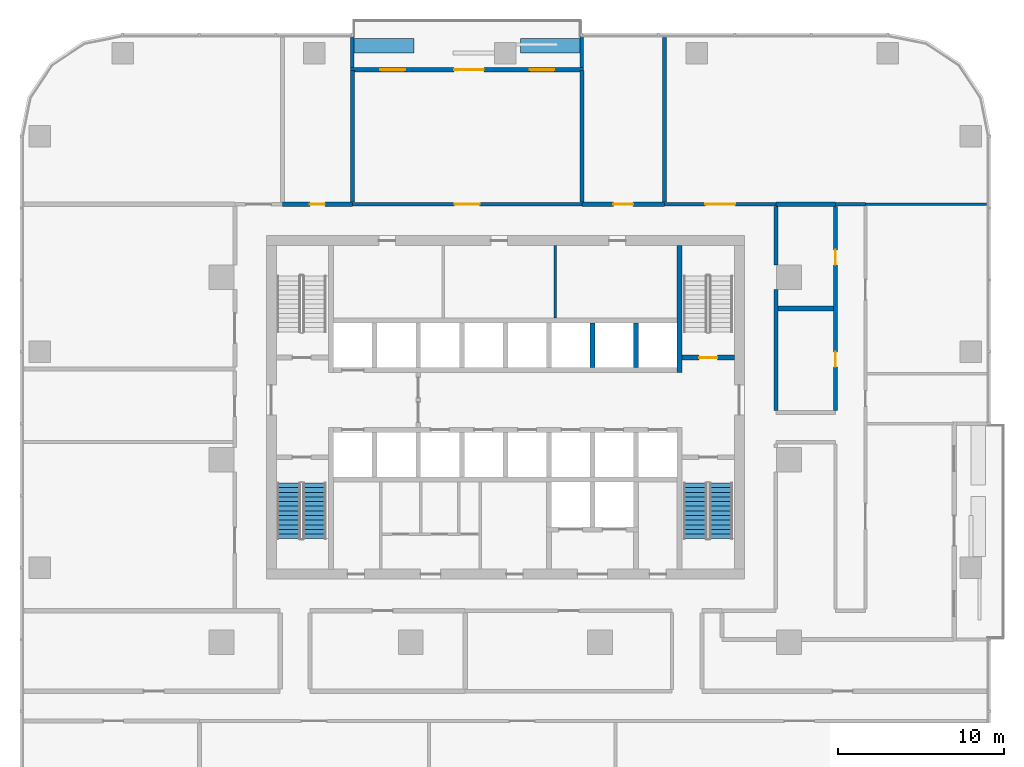
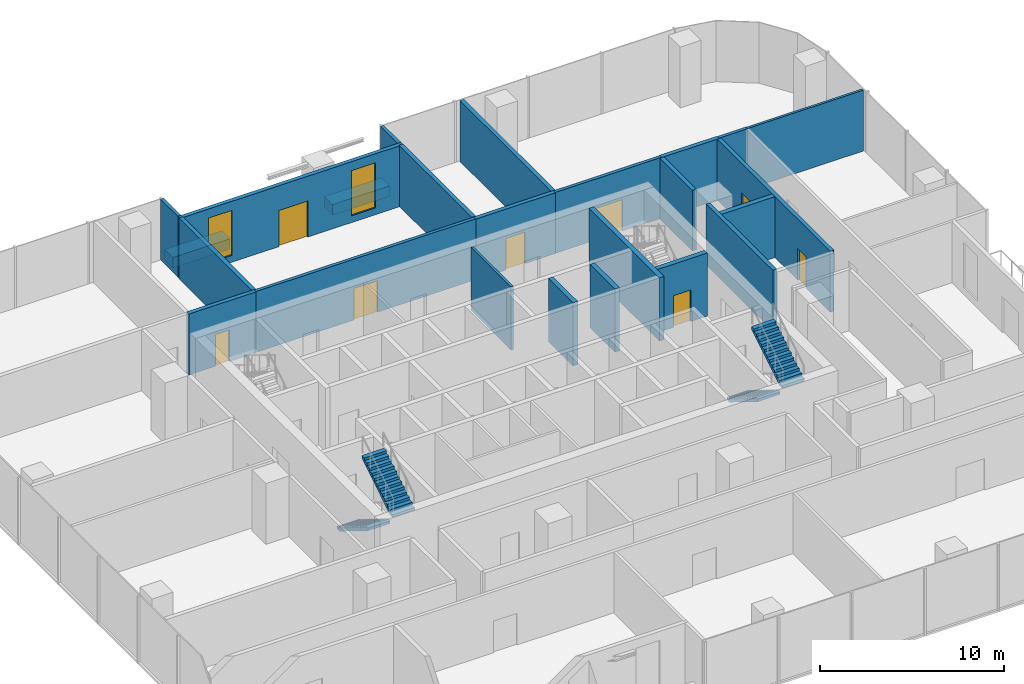
# One storey, part 10 of 14: 24 walls, 8 doors, 4 stair flights, 2 windows, 10 openings, 2 elements without a shape of their own.
"""IFC4 building model written with IfcOpenShell, lengths in metres."""

from ifc_helpers import new_model, si_unit, direction, frame, frame_2d, origin, place, context, subcontext, project, spatial, polyline, rectangle, outline, extrude, material, layer, layer_set, type_object, element, fill, aggregate, save


model = new_model("IFC4")

# Units and contexts
model_context = context("Model", 3, precision=1e-05, world=origin(), true_north=direction((0.0, 1.0)))
body_context = subcontext(model_context, "Body", "Model", "MODEL_VIEW")
ifc_project = project(units=[si_unit("LENGTHUNIT", "METRE"), si_unit("AREAUNIT", "SQUARE_METRE"), si_unit("VOLUMEUNIT", "CUBIC_METRE"), si_unit("PLANEANGLEUNIT", "RADIAN"), si_unit("MASSUNIT", "GRAM", prefix="KILO")], contexts=[model_context])

# Site, building, storey
site_placement = place(None, origin())
site = spatial("IfcSite", under=ifc_project, at=site_placement, CompositionType="ELEMENT")
building_placement = place(site_placement, origin())
building = spatial("IfcBuilding", under=site, at=building_placement, Name="Mopane Tessera Tower", CompositionType="ELEMENT")
storey_placement = place(building_placement, frame((0.0, 0.0, 139.60009765625)))
storey = spatial("IfcBuildingStorey", under=building, at=storey_placement, Name="L28", CompositionType="ELEMENT", Elevation=139.60009765625)

# Walls
ifc_material_1 = material(Name="Fire-rated gypsum board partition")
ifc_layer_1 = layer(ifc_material_1, 0.14990234375)
ifc_layer_set_1 = layer_set([ifc_layer_1], Name="Fire-rated gypsum board partition")
wall_type_1 = type_object("IfcWallType", Name="Core room partition 150 mm", PredefinedType="PARTITIONING", material=ifc_layer_set_1)
wall_1_placement = place(storey_placement, frame((3.0, 8.550048828125, 0.0), z_axis=(0.0, 0.0, 1.0), x_axis=(0.0, 1.0, 0.0)))
element("IfcWall", 1, at=wall_1_placement, inside=storey, type_object=wall_type_1, Name="L28 Room partition", PredefinedType="PARTITIONING", context=body_context, shape_type="SweptSolid", body=[
    extrude(rectangle(XDim=4.349853515625, YDim=0.14990234375, at=frame_2d((2.1748046875, 0.0))), origin(), (0.0, 0.0, 1.0), 4.199951171875),
])
ifc_material_2 = material(Name="Concrete C60/75", Category="concrete")
ifc_layer_2 = layer(ifc_material_2, 0.300048828125)
ifc_layer_set_2 = layer_set([ifc_layer_2], Name="Concrete C60/75")
wall_type_2 = type_object("IfcWallType", Name="Core spine wall 300 mm", PredefinedType="SHEAR", material=ifc_layer_set_2)
wall_2_placement = place(storey_placement, frame((10.5, 5.25, 0.0), z_axis=(0.0, 0.0, 1.0), x_axis=(0.0, 1.0, 0.0)))
element("IfcWall", 2, at=wall_2_placement, inside=storey, type_object=wall_type_2, Name="L28 Core spine wall", PredefinedType="SHEAR", context=body_context, shape_type="SweptSolid", body=[
    extrude(rectangle(XDim=7.64990234375, YDim=0.300048828125, at=frame_2d((3.824951171875, 0.0))), origin(), (0.0, 0.0, 1.0), 4.199951171875),
])

# Wall, opening, door
ifc_material_3 = material(Name="Gypsum board on steel studs, two layers each face, mineral wool infill", Category="steel")
ifc_layer_3 = layer(ifc_material_3, 0.199951171875)
ifc_layer_set_3 = layer_set([ifc_layer_3], Name="Gypsum board on steel studs, two layers each face, mineral wool infill")
wall_type_3 = type_object("IfcWallType", Name="Gypsum board corridor wall 200, rated EI 60", PredefinedType="PARTITIONING", material=ifc_layer_set_3)
wall_3_placement = place(storey_placement, frame((-9.219970703125, 15.39990234375, 0.0), z_axis=(0.0, 0.0, 1.0), x_axis=(1.0, 0.0, 0.0)))
wall_3 = element("IfcWall", 3, at=wall_3_placement, inside=storey, type_object=wall_type_3, Name="Partition L28:023", PredefinedType="PARTITIONING", context=body_context, shape_type="SweptSolid", body=[
    extrude(rectangle(XDim=13.830078125, YDim=0.199951171875, at=frame_2d((6.9150390625, 0.0))), origin(), (0.0, 0.0, 1.0), 4.0498046875),
])
opening_1_placement = place(wall_3_placement, frame((6.1650390625, 0.0, 0.0)))
opening_1 = element("IfcOpeningElement", 4, at=opening_1_placement, cuts=wall_3, Name="Opening L28-13", PredefinedType="OPENING", context=body_context, shape_type="SweptSolid", body=[
    extrude(rectangle(XDim=1.5, YDim=2.10009765625, at=frame_2d((0.75, 1.050048828125))), frame((0.0, 0.112060546875, 0.0), z_axis=(0.0, -1.0, 0.0), x_axis=(1.0, 0.0, 0.0)), (0.0, 0.0, 1.0), 0.223876953125),
])
ifc_material_4 = material(Name="Timber veneered steel-framed fire door", Category="steel")
door_type_1 = type_object("IfcDoorType", Name="Fire door pair FD60 1500 x 2100", OperationType="DOUBLE_DOOR_SINGLE_SWING", PredefinedType="DOOR", material=ifc_material_4)
door_1_placement = place(opening_1_placement, origin())
door_1 = element("IfcDoor", 5, at=door_1_placement, inside=storey, type_object=door_type_1, Name="Door L28-13", ObjectType="D17A", OperationType="DOUBLE_DOOR_SINGLE_SWING", OverallHeight=2.10009765625, OverallWidth=1.5, PredefinedType="DOOR", context=body_context, shape_type="SweptSolid", body=[
    extrude(rectangle(XDim=1.5, YDim=2.10009765625, at=frame_2d((0.75, 1.050048828125))), frame((0.0, 0.02490234375, 0.0), z_axis=(0.0, -1.0, 0.0), x_axis=(1.0, 0.0, 0.0)), (0.0, 0.0, 1.0), 0.050048828125),
])
fill(opening_1, door_1)

wall_4_placement = place(storey_placement, frame((9.60009765625, 15.39990234375, 0.0), z_axis=(0.0, 0.0, 1.0), x_axis=(1.0, 0.0, 0.0)))
wall_4 = element("IfcWall", 6, at=wall_4_placement, inside=storey, type_object=wall_type_3, Name="Partition L28:024", PredefinedType="PARTITIONING", context=body_context, shape_type="SweptSolid", body=[
    extrude(rectangle(XDim=6.699951171875, YDim=0.199951171875, at=frame_2d((3.35009765625, 0.0))), origin(), (0.0, 0.0, 1.0), 4.0498046875),
])
opening_2_placement = place(wall_4_placement, frame((2.449951171875, 0.0, 0.0)))
opening_2 = element("IfcOpeningElement", 7, at=opening_2_placement, cuts=wall_4, Name="Opening L28-19", PredefinedType="OPENING", context=body_context, shape_type="SweptSolid", body=[
    extrude(rectangle(XDim=1.800048828125, YDim=2.10009765625, at=frame_2d((0.89990234375, 1.050048828125))), frame((0.0, 0.112060546875, 0.0), z_axis=(0.0, -1.0, 0.0), x_axis=(1.0, 0.0, 0.0)), (0.0, 0.0, 1.0), 0.223876953125),
])
ifc_material_5 = material(Name="Timber veneered steel-framed fire door", Category="steel")
door_type_2 = type_object("IfcDoorType", Name="Fire door pair FD60 1800 x 2100", OperationType="DOUBLE_DOOR_SINGLE_SWING", PredefinedType="DOOR", material=ifc_material_5)
door_2_placement = place(opening_2_placement, origin())
door_2 = element("IfcDoor", 8, at=door_2_placement, inside=storey, type_object=door_type_2, Name="Door L28-19", ObjectType="D20A", OperationType="DOUBLE_DOOR_SINGLE_SWING", OverallHeight=2.10009765625, OverallWidth=1.800048828125, PredefinedType="DOOR", context=body_context, shape_type="SweptSolid", body=[
    extrude(rectangle(XDim=1.800048828125, YDim=2.10009765625, at=frame_2d((0.89990234375, 1.050048828125))), frame((0.0, 0.02490234375, 0.0), z_axis=(0.0, -1.0, 0.0), x_axis=(1.0, 0.0, 0.0)), (0.0, 0.0, 1.0), 0.050048828125),
])
fill(opening_2, door_2)

# Walls
wall_5_placement = place(storey_placement, frame((19.89990234375, 15.39990234375, 0.0), z_axis=(0.0, 0.0, 1.0), x_axis=(1.0, 0.0, 0.0)))
element("IfcWall", 9, at=wall_5_placement, inside=storey, type_object=wall_type_3, Name="Partition L28:025", PredefinedType="PARTITIONING", context=body_context, shape_type="SweptSolid", body=[
    extrude(rectangle(XDim=1.800048828125, YDim=0.199951171875, at=frame_2d((0.89990234375, 0.0))), origin(), (0.0, 0.0, 1.0), 4.0498046875),
])
ifc_material_6 = material(Name="Gypsum board on steel studs, mineral wool infill", Category="steel")
ifc_layer_4 = layer(ifc_material_6, 0.14990234375)
ifc_layer_set_4 = layer_set([ifc_layer_4], Name="Gypsum board on steel studs, mineral wool infill")
wall_type_4 = type_object("IfcWallType", Name="Gypsum board partition 150, rated EI 60", PredefinedType="PARTITIONING", material=ifc_layer_set_4)
wall_6_placement = place(storey_placement, frame((21.699951171875, 15.39990234375, 0.0), z_axis=(0.0, 0.0, 1.0), x_axis=(1.0, 0.0, 0.0)))
element("IfcWall", 10, at=wall_6_placement, inside=storey, type_object=wall_type_4, Name="Partition L28:021", PredefinedType="PARTITIONING", context=body_context, shape_type="SweptSolid", body=[
    extrude(rectangle(XDim=7.300048828125, YDim=0.14990234375, at=frame_2d((3.64990234375, 0.0))), origin(), (0.0, 0.0, 1.0), 4.0498046875),
])

# Wall, opening, door
ifc_material_7 = material(Name="Concrete C50/60", Category="concrete")
ifc_layer_5 = layer(ifc_material_7, 0.300048828125)
ifc_layer_set_5 = layer_set([ifc_layer_5], Name="Concrete C50/60")
wall_type_5 = type_object("IfcWallType", Name="Lift and stair shaft wall 300 mm", PredefinedType="SOLIDWALL", material=ifc_layer_set_5)
wall_7_placement = place(storey_placement, frame((10.64990234375, 6.14990234375, 0.0), z_axis=(0.0, 0.0, 1.0), x_axis=(1.0, 0.0, 0.0)))
wall_7 = element("IfcWall", 11, at=wall_7_placement, inside=storey, type_object=wall_type_5, Name="L28 Stair enclosure wall", PredefinedType="SOLIDWALL", context=body_context, shape_type="SweptSolid", body=[
    extrude(rectangle(XDim=3.150146484375, YDim=0.300048828125, at=frame_2d((1.5751953125, 0.0))), origin(), (0.0, 0.0, 1.0), 4.199951171875),
])
opening_3_placement = place(wall_7_placement, frame((1.02490234375, 0.0, 0.0)))
opening_3 = element("IfcOpeningElement", 12, at=opening_3_placement, cuts=wall_7, Name="Opening SD1", PredefinedType="OPENING", context=body_context, shape_type="SweptSolid", body=[
    extrude(rectangle(XDim=1.10009765625, YDim=2.10009765625, at=frame_2d((0.550048828125, 1.050048828125))), frame((0.0, 0.162109375, 0.0), z_axis=(0.0, -1.0, 0.0), x_axis=(1.0, 0.0, 0.0)), (0.0, 0.0, 1.0), 0.323974609375),
])
ifc_material_8 = material(Name="Steel fire door", Category="steel")
door_type_3 = type_object("IfcDoorType", Name="Stair fire door 1100 x 2100", OperationType="SINGLE_SWING_LEFT", PredefinedType="DOOR", material=ifc_material_8)
door_3_placement = place(opening_3_placement, origin())
door_3 = element("IfcDoor", 13, at=door_3_placement, inside=storey, type_object=door_type_3, Name="L28 Stair door ST4", OperationType="SINGLE_SWING_RIGHT", OverallHeight=2.10009765625, OverallWidth=1.10009765625, PredefinedType="DOOR", context=body_context, shape_type="SweptSolid", body=[
    extrude(rectangle(XDim=1.10009765625, YDim=2.10009765625, at=frame_2d((0.550048828125, 1.050048828125))), frame((0.0, 0.02490234375, 0.0), z_axis=(0.0, -1.0, 0.0), x_axis=(1.0, 0.0, 0.0)), (0.0, 0.0, 1.0), 0.050048828125),
])
fill(opening_3, door_3)

# Walls
for number, where, z_axis, x_axis, name in (
    (14, (5.25, 5.550048828125, 0.0), (0.0, 0.0, 1.0), (0.0, 1.0, 0.0), "L28 Lift shaft wall"),
    (15, (7.875, 5.550048828125, 0.0), (0.0, 0.0, 1.0), (0.0, 1.0, 0.0), "L28 Lift shaft wall"),
):
    element("IfcWall", number, at=place(storey_placement, frame(where, z_axis=z_axis, x_axis=x_axis)), inside=storey, type_object=wall_type_5, Name=name, PredefinedType="SOLIDWALL", context=body_context, shape_type="SweptSolid", body=[
        extrude(rectangle(XDim=2.699951171875, YDim=0.300048828125, at=frame_2d((1.35009765625, 0.0))), origin(), (0.0, 0.0, 1.0), 4.199951171875),
    ])
ifc_material_9 = material(Name="Reinforced concrete C32/40 with waterproofing", Category="concrete")
ifc_layer_6 = layer(ifc_material_9, 0.89990234375)
ifc_layer_set_6 = layer_set([ifc_layer_6], Name="Reinforced concrete C32/40 with waterproofing")
wall_type_6 = type_object("IfcWallType", Name="Planter trough 3600 x 900", PredefinedType="STANDARD", material=ifc_layer_set_6)
for number, where, z_axis, x_axis, name in (
    (16, (4.510009765625, 24.949951171875, 0.0), (0.0, 0.0, 1.0), (-1.0, 0.0, 0.0), "e:nw:L28:N1:pl0"),
    (17, (-5.52001953125, 24.949951171875, 0.0), (0.0, 0.0, 1.0), (-1.0, 0.0, 0.0), "e:nw:L28:N1:pl1"),
):
    element("IfcWall", number, at=place(storey_placement, frame(where, z_axis=z_axis, x_axis=x_axis)), inside=storey, type_object=wall_type_6, Name=name, PredefinedType="STANDARD", context=body_context, shape_type="SweptSolid", body=[
        extrude(rectangle(XDim=3.60009765625, YDim=0.89990234375, at=frame_2d((1.800048828125, 0.0))), origin(), (0.0, 0.0, 1.0), 0.699951171875),
    ])
ifc_material_10 = material(Name="Plastered concrete blockwork C20/25", Category="masonry")
ifc_layer_7 = layer(ifc_material_10, 0.300048828125)
ifc_layer_set_7 = layer_set([ifc_layer_7], Name="Plastered concrete blockwork C20/25")
wall_type_7 = type_object("IfcWallType", Name="Plastered blockwork separation wall 300, rated EI 120", PredefinedType="PARTITIONING", material=ifc_layer_set_7)
wall_8_placement = place(storey_placement, frame((16.425048828125, 9.125, 0.0), z_axis=(0.0, 0.0, 1.0), x_axis=(1.0, 0.0, 0.0)))
element("IfcWall", 18, at=wall_8_placement, inside=storey, type_object=wall_type_7, Name="Partition L28:020", PredefinedType="PARTITIONING", context=body_context, shape_type="SweptSolid", body=[
    extrude(rectangle(XDim=3.349853515625, YDim=0.300048828125, at=frame_2d((1.6748046875, 0.0))), origin(), (0.0, 0.0, 1.0), 4.0498046875),
])

# Wall, opening, door
ifc_material_11 = material(Name="Plastered concrete blockwork C20/25", Category="masonry")
ifc_layer_8 = layer(ifc_material_11, 0.25)
ifc_layer_set_8 = layer_set([ifc_layer_8], Name="Plastered concrete blockwork C20/25")
wall_type_8 = type_object("IfcWallType", Name="Plastered blockwork wall 250, rated EI 120", PredefinedType="PARTITIONING", material=ifc_layer_set_8)
wall_9_placement = place(storey_placement, frame((-13.43994140625, 15.39990234375, 0.0), z_axis=(0.0, 0.0, 1.0), x_axis=(1.0, 0.0, 0.0)))
wall_9 = element("IfcWall", 19, at=wall_9_placement, inside=storey, type_object=wall_type_8, Name="Partition L28:027", PredefinedType="PARTITIONING", context=body_context, shape_type="SweptSolid", body=[
    extrude(rectangle(XDim=4.219970703125, YDim=0.25, at=frame_2d((2.10986328125, 0.0))), origin(), (0.0, 0.0, 1.0), 4.0498046875),
])
opening_4_placement = place(wall_9_placement, frame((1.659912109375, 0.0, 0.0)))
opening_4 = element("IfcOpeningElement", 20, at=opening_4_placement, cuts=wall_9, Name="Opening L28-16", PredefinedType="OPENING", context=body_context, shape_type="SweptSolid", body=[
    extrude(rectangle(XDim=0.89990234375, YDim=2.10009765625, at=frame_2d((0.449951171875, 1.050048828125))), frame((0.0, 0.136962890625, 0.0), z_axis=(0.0, -1.0, 0.0), x_axis=(1.0, 0.0, 0.0)), (0.0, 0.0, 1.0), 0.27392578125),
])
ifc_material_12 = material(Name="Timber veneered steel-framed fire door", Category="steel")
door_type_4 = type_object("IfcDoorType", Name="Fire door FD120 900 x 2100", OperationType="SINGLE_SWING_LEFT", PredefinedType="DOOR", material=ifc_material_12)
door_4_placement = place(opening_4_placement, origin())
door_4 = element("IfcDoor", 21, at=door_4_placement, inside=storey, type_object=door_type_4, Name="Door L28-16", ObjectType="D10B", OperationType="SINGLE_SWING_RIGHT", OverallHeight=2.10009765625, OverallWidth=0.89990234375, PredefinedType="DOOR", context=body_context, shape_type="SweptSolid", body=[
    extrude(rectangle(XDim=0.89990234375, YDim=2.10009765625, at=frame_2d((0.449951171875, 1.050048828125))), frame((0.0, 0.02490234375, 0.0), z_axis=(0.0, -1.0, 0.0), x_axis=(1.0, 0.0, 0.0)), (0.0, 0.0, 1.0), 0.050048828125),
])
fill(opening_4, door_4)

wall_10_placement = place(storey_placement, frame((4.610107421875, 15.39990234375, 0.0), z_axis=(0.0, 0.0, 1.0), x_axis=(1.0, 0.0, 0.0)))
wall_10 = element("IfcWall", 22, at=wall_10_placement, inside=storey, type_object=wall_type_8, Name="Partition L28:028", PredefinedType="PARTITIONING", context=body_context, shape_type="SweptSolid", body=[
    extrude(rectangle(XDim=4.989990234375, YDim=0.25, at=frame_2d((2.4951171875, 0.0))), origin(), (0.0, 0.0, 1.0), 4.0498046875),
])
opening_5_placement = place(wall_10_placement, frame((1.89501953125, 0.0, 0.0)))
opening_5 = element("IfcOpeningElement", 23, at=opening_5_placement, cuts=wall_10, Name="Opening L28-08", PredefinedType="OPENING", context=body_context, shape_type="SweptSolid", body=[
    extrude(rectangle(XDim=1.199951171875, YDim=2.10009765625, at=frame_2d((0.60009765625, 1.050048828125))), frame((0.0, 0.136962890625, 0.0), z_axis=(0.0, -1.0, 0.0), x_axis=(1.0, 0.0, 0.0)), (0.0, 0.0, 1.0), 0.27392578125),
])
ifc_material_13 = material(Name="Timber veneered steel-framed fire door", Category="steel")
door_type_5 = type_object("IfcDoorType", Name="Fire door FD120 1200 x 2100", OperationType="SINGLE_SWING_LEFT", PredefinedType="DOOR", material=ifc_material_13)
door_5_placement = place(opening_5_placement, origin())
door_5 = element("IfcDoor", 24, at=door_5_placement, inside=storey, type_object=door_type_5, Name="Door L28-08", ObjectType="D15B", OperationType="SINGLE_SWING_RIGHT", OverallHeight=2.10009765625, OverallWidth=1.199951171875, PredefinedType="DOOR", context=body_context, shape_type="SweptSolid", body=[
    extrude(rectangle(XDim=1.199951171875, YDim=2.10009765625, at=frame_2d((0.60009765625, 1.050048828125))), frame((0.0, 0.02490234375, 0.0), z_axis=(0.0, -1.0, 0.0), x_axis=(1.0, 0.0, 0.0)), (0.0, 0.0, 1.0), 0.050048828125),
])
fill(opening_5, door_5)

# Walls
wall_11_placement = place(storey_placement, frame((16.300048828125, 15.39990234375, 0.0), z_axis=(0.0, 0.0, 1.0), x_axis=(1.0, 0.0, 0.0)))
element("IfcWall", 25, at=wall_11_placement, inside=storey, type_object=wall_type_8, Name="Partition L28:029", PredefinedType="PARTITIONING", context=body_context, shape_type="SweptSolid", body=[
    extrude(rectangle(XDim=3.599853515625, YDim=0.25, at=frame_2d((1.7998046875, 0.0))), origin(), (0.0, 0.0, 1.0), 4.0498046875),
])
for number, where, z_axis, x_axis, name in (
    (26, (-9.219970703125, 15.52490234375, 0.0), (0.0, 0.0, 1.0), (0.0, 1.0, 0.0), "Partition L28:038"),
    (27, (4.610107421875, 15.52490234375, 0.0), (0.0, 0.0, 1.0), (0.0, 1.0, 0.0), "Partition L28:041"),
):
    element("IfcWall", number, at=place(storey_placement, frame(where, z_axis=z_axis, x_axis=x_axis)), inside=storey, type_object=wall_type_8, Name=name, PredefinedType="PARTITIONING", context=body_context, shape_type="SweptSolid", body=[
        extrude(rectangle(XDim=7.925048828125, YDim=0.25, at=frame_2d((3.96240234375, 0.0))), origin(), (0.0, 0.0, 1.0), 4.0498046875),
    ])
wall_12_placement = place(storey_placement, frame((9.60009765625, 15.52490234375, 0.0), z_axis=(0.0, 0.0, 1.0), x_axis=(0.0, 1.0, 0.0)))
element("IfcWall", 28, at=wall_12_placement, inside=storey, type_object=wall_type_8, Name="Partition L28:043", PredefinedType="PARTITIONING", context=body_context, shape_type="SweptSolid", body=[
    extrude(rectangle(XDim=9.925048828125, YDim=0.25, at=frame_2d((4.96240234375, 0.0))), origin(), (0.0, 0.0, 1.0), 4.0498046875),
])
wall_13_placement = place(storey_placement, frame((16.300048828125, 2.97509765625, 0.0), z_axis=(0.0, 0.0, 1.0), x_axis=(0.0, 1.0, 0.0)))
element("IfcWall", 29, at=wall_13_placement, inside=storey, type_object=wall_type_8, Name="Partition L28:049", PredefinedType="PARTITIONING", context=body_context, shape_type="SweptSolid", body=[
    extrude(rectangle(XDim=7.27490234375, YDim=0.25, at=frame_2d((3.637451171875, 0.0))), origin(), (0.0, 0.0, 1.0), 4.0498046875),
])
wall_14_placement = place(storey_placement, frame((16.300048828125, 11.75, 0.0), z_axis=(0.0, 0.0, 1.0), x_axis=(0.0, 1.0, 0.0)))
element("IfcWall", 30, at=wall_14_placement, inside=storey, type_object=wall_type_8, Name="Partition L28:050", PredefinedType="PARTITIONING", context=body_context, shape_type="SweptSolid", body=[
    extrude(rectangle(XDim=3.52490234375, YDim=0.25, at=frame_2d((1.762451171875, 0.0))), origin(), (0.0, 0.0, 1.0), 4.0498046875),
])

# Wall, openings, doors
wall_15_placement = place(storey_placement, frame((19.89990234375, 2.97509765625, 0.0), z_axis=(0.0, 0.0, 1.0), x_axis=(0.0, 1.0, 0.0)))
wall_15 = element("IfcWall", 31, at=wall_15_placement, inside=storey, type_object=wall_type_8, Name="Partition L28:052", PredefinedType="PARTITIONING", context=body_context, shape_type="SweptSolid", body=[
    extrude(rectangle(XDim=12.2998046875, YDim=0.25, at=frame_2d((6.14990234375, 0.0))), origin(), (0.0, 0.0, 1.0), 4.0498046875),
])
opening_6_placement = place(wall_15_placement, frame((8.77490234375, 0.0, 0.0)))
opening_6 = element("IfcOpeningElement", 32, at=opening_6_placement, cuts=wall_15, Name="Opening L28-09", PredefinedType="OPENING", context=body_context, shape_type="SweptSolid", body=[
    extrude(rectangle(XDim=0.89990234375, YDim=2.10009765625, at=frame_2d((0.449951171875, 1.050048828125))), frame((0.0, 0.136962890625, 0.0), z_axis=(0.0, -1.0, 0.0), x_axis=(1.0, 0.0, 0.0)), (0.0, 0.0, 1.0), 0.27392578125),
])
opening_7_placement = place(wall_15_placement, frame((2.625, 0.0, 0.0)))
opening_7 = element("IfcOpeningElement", 33, at=opening_7_placement, cuts=wall_15, Name="Opening L28-17", PredefinedType="OPENING", context=body_context, shape_type="SweptSolid", body=[
    extrude(rectangle(XDim=0.89990234375, YDim=2.10009765625, at=frame_2d((0.449951171875, 1.050048828125))), frame((0.0, 0.136962890625, 0.0), z_axis=(0.0, -1.0, 0.0), x_axis=(1.0, 0.0, 0.0)), (0.0, 0.0, 1.0), 0.27392578125),
])
door_6_placement = place(opening_6_placement, origin())
door_6 = element("IfcDoor", 34, at=door_6_placement, inside=storey, type_object=door_type_4, Name="Door L28-09", ObjectType="D10B", OperationType="SINGLE_SWING_LEFT", OverallHeight=2.10009765625, OverallWidth=0.89990234375, PredefinedType="DOOR", context=body_context, shape_type="SweptSolid", body=[
    extrude(rectangle(XDim=0.89990234375, YDim=2.10009765625, at=frame_2d((0.449951171875, 1.050048828125))), frame((0.0, 0.02490234375, 0.0), z_axis=(0.0, -1.0, 0.0), x_axis=(1.0, 0.0, 0.0)), (0.0, 0.0, 1.0), 0.050048828125),
])
fill(opening_6, door_6)
door_7_placement = place(opening_7_placement, origin())
door_7 = element("IfcDoor", 35, at=door_7_placement, inside=storey, type_object=door_type_4, Name="Door L28-17", ObjectType="D10B", OperationType="SINGLE_SWING_LEFT", OverallHeight=2.10009765625, OverallWidth=0.89990234375, PredefinedType="DOOR", context=body_context, shape_type="SweptSolid", body=[
    extrude(rectangle(XDim=0.89990234375, YDim=2.10009765625, at=frame_2d((0.449951171875, 1.050048828125))), frame((0.0, 0.02490234375, 0.0), z_axis=(0.0, -1.0, 0.0), x_axis=(1.0, 0.0, 0.0)), (0.0, 0.0, 1.0), 0.050048828125),
])
fill(opening_7, door_7)

# Walls
ifc_material_14 = material(Name="Blockwork with glazed tile facing", Category="masonry")
ifc_layer_9 = layer(ifc_material_14, 0.199951171875)
ifc_layer_set_9 = layer_set([ifc_layer_9], Name="Blockwork with glazed tile facing")
wall_type_9 = type_object("IfcWallType", Name="Terrace cheek wall 200", PredefinedType="STANDARD", material=ifc_layer_set_9)
for number, where, z_axis, x_axis, name in (
    (36, (4.610107421875, 25.5, 0.0), (0.0, 0.0, 1.0), (0.0, -1.0, 0.0), "e:nw:L28:N1:cheeka"),
    (37, (-9.219970703125, 25.5, 0.0), (0.0, 0.0, 1.0), (0.0, -1.0, 0.0), "e:nw:L28:N1:cheekb"),
):
    element("IfcWall", number, at=place(storey_placement, frame(where, z_axis=z_axis, x_axis=x_axis)), inside=storey, type_object=wall_type_9, Name=name, PredefinedType="STANDARD", context=body_context, shape_type="SweptSolid", body=[
        extrude(rectangle(XDim=1.875, YDim=0.199951171875, at=frame_2d((0.9375, 0.0))), origin(), (0.0, 0.0, 1.0), 4.0498046875),
    ])

# Wall, openings, windows, door
ifc_material_15 = material(Name="Blockwork with ultramarine glazed tile facing", Category="masonry")
ifc_layer_10 = layer(ifc_material_15, 0.25)
ifc_layer_set_10 = layer_set([ifc_layer_10], Name="Blockwork with ultramarine glazed tile facing")
wall_type_10 = type_object("IfcWallType", Name="Tile-clad external wall 250, ultramarine", PredefinedType="STANDARD", material=ifc_layer_set_10)
wall_16_placement = place(storey_placement, frame((4.7099609375, 23.5, 0.0), z_axis=(0.0, 0.0, 1.0), x_axis=(-1.0, 0.0, 0.0)))
wall_16 = element("IfcWall", 38, at=wall_16_placement, inside=storey, type_object=wall_type_10, Name="e:nw:L28:N1:back", PredefinedType="STANDARD", context=body_context, shape_type="SweptSolid", body=[
    extrude(rectangle(XDim=14.030029296875, YDim=0.25, at=frame_2d((7.01513671875, 0.0))), origin(), (0.0, 0.0, 1.0), 4.0498046875),
])
opening_8_placement = place(wall_16_placement, frame((1.75, 0.0, 0.449951171875)))
opening_8 = element("IfcOpeningElement", 39, at=opening_8_placement, cuts=wall_16, Name="Opening NW281A", PredefinedType="OPENING", context=body_context, shape_type="SweptSolid", body=[
    extrude(rectangle(XDim=1.5, YDim=3.0, at=frame_2d((0.75, 1.5))), frame((0.0, 0.136962890625, 0.0), z_axis=(0.0, -1.0, 0.0), x_axis=(1.0, 0.0, 0.0)), (0.0, 0.0, 1.0), 0.27392578125),
])
opening_9_placement = place(wall_16_placement, frame((6.0, 0.0, 0.0)))
opening_9 = element("IfcOpeningElement", 40, at=opening_9_placement, cuts=wall_16, Name="Opening ND281", PredefinedType="OPENING", context=body_context, shape_type="SweptSolid", body=[
    extrude(rectangle(XDim=1.800048828125, YDim=2.39990234375, at=frame_2d((0.89990234375, 1.199951171875))), frame((0.0, 0.136962890625, 0.0), z_axis=(0.0, -1.0, 0.0), x_axis=(1.0, 0.0, 0.0)), (0.0, 0.0, 1.0), 0.27392578125),
])
opening_10_placement = place(wall_16_placement, frame((10.75, 0.0, 0.449951171875)))
opening_10 = element("IfcOpeningElement", 41, at=opening_10_placement, cuts=wall_16, Name="Opening NW281B", PredefinedType="OPENING", context=body_context, shape_type="SweptSolid", body=[
    extrude(rectangle(XDim=1.5, YDim=3.0, at=frame_2d((0.75, 1.5))), frame((0.0, 0.136962890625, 0.0), z_axis=(0.0, -1.0, 0.0), x_axis=(1.0, 0.0, 0.0)), (0.0, 0.0, 1.0), 0.27392578125),
])
ifc_material_16 = material(Name="Clear laminated glass", Category="glass")
window_type = type_object("IfcWindowType", Name="Fixed window 1500 x 3000", PartitioningType="SINGLE_PANEL", PredefinedType="WINDOW", material=ifc_material_16)
window_1_placement = place(opening_8_placement, origin())
window_1 = element("IfcWindow", 42, at=window_1_placement, inside=storey, type_object=window_type, Name="e:nw:L28:N1:win0", OverallHeight=3.0, OverallWidth=1.5, PartitioningType="SINGLE_PANEL", PredefinedType="WINDOW", context=body_context, shape_type="SweptSolid", body=[
    extrude(rectangle(XDim=1.5, YDim=3.0, at=frame_2d((0.75, 1.5))), frame((0.0, 0.030029296875, 0.0), z_axis=(0.0, -1.0, 0.0), x_axis=(1.0, 0.0, 0.0)), (0.0, 0.0, 1.0), 0.06005859375),
])
fill(opening_8, window_1)
window_2_placement = place(opening_10_placement, origin())
window_2 = element("IfcWindow", 43, at=window_2_placement, inside=storey, type_object=window_type, Name="e:nw:L28:N1:win2", OverallHeight=3.0, OverallWidth=1.5, PartitioningType="SINGLE_PANEL", PredefinedType="WINDOW", context=body_context, shape_type="SweptSolid", body=[
    extrude(rectangle(XDim=1.5, YDim=3.0, at=frame_2d((0.75, 1.5))), frame((0.0, 0.030029296875, 0.0), z_axis=(0.0, -1.0, 0.0), x_axis=(1.0, 0.0, 0.0)), (0.0, 0.0, 1.0), 0.06005859375),
])
fill(opening_10, window_2)
ifc_material_17 = material(Name="Aluminium and clear glass", Category="aluminium")
door_type_6 = type_object("IfcDoorType", Name="Terrace double door 1800 x 2400", OperationType="DOUBLE_DOOR_SINGLE_SWING", PredefinedType="DOOR", material=ifc_material_17)
door_8_placement = place(opening_9_placement, origin())
door_8 = element("IfcDoor", 44, at=door_8_placement, inside=storey, type_object=door_type_6, Name="e:nw:L28:N1:door", ObjectType="D1", OperationType="DOUBLE_DOOR_SINGLE_SWING", OverallHeight=2.39990234375, OverallWidth=1.800048828125, PredefinedType="DOOR", context=body_context, shape_type="SweptSolid", body=[
    extrude(rectangle(XDim=1.800048828125, YDim=2.39990234375, at=frame_2d((0.89990234375, 1.199951171875))), frame((0.0, 0.02490234375, 0.0), z_axis=(0.0, -1.0, 0.0), x_axis=(1.0, 0.0, 0.0)), (0.0, 0.0, 1.0), 0.050048828125),
])
fill(opening_9, door_8)

# Stair, stair flights
ifc_material_18 = material(Name="Concrete C50/60", Category="concrete")
stair_type = type_object("IfcStairType", Name="Escape stair 1400 mm, riser 173 mm", PredefinedType="HALF_TURN_STAIR", material=ifc_material_18)
stair_1_placement = place(storey_placement, origin())
stair_1 = element("IfcStair", 45, at=stair_1_placement, inside=storey, type_object=stair_type, Name="L28 Escape stair south-west", PredefinedType="HALF_TURN_STAIR")
ifc_material_19 = material(Name="Concrete C50/60", Category="concrete")
stair_flight_type = type_object("IfcStairFlightType", Name="Escape stair flight 1400 mm", PredefinedType="STRAIGHT", material=ifc_material_19)
stair_flight_1_placement = place(storey_placement, frame((-13.050048828125, -1.39990234375, 0.0), z_axis=(0.0, 0.0, 1.0), x_axis=(0.0, -1.0, 0.0)))
stair_flight_1 = element("IfcStairFlight", 46, at=stair_flight_1_placement, type_object=stair_flight_type, Name="ST1 flight 1", NumberOfRisers=13, NumberOfTreads=12, PredefinedType="STRAIGHT", RiserHeight=0.173076923, TreadLength=0.28, context=body_context, shape_type="SweptSolid", body=[
    extrude(outline(polyline([(0.0, 0.0), (0.0, 0.173095703125), (0.280029296875, 0.173095703125), (0.280029296875, 0.34619140625), (0.56005859375, 0.34619140625), (0.56005859375, 0.519287109375), (0.840087890625, 0.519287109375), (0.840087890625, 0.6923828125), (1.1201171875, 0.6923828125), (1.1201171875, 0.865478515625), (1.39990234375, 0.865478515625), (1.39990234375, 1.03857421875), (1.679931640625, 1.03857421875), (1.679931640625, 1.21142578125), (1.9599609375, 1.21142578125), (1.9599609375, 1.384521484375), (2.239990234375, 1.384521484375), (2.239990234375, 1.5576171875), (2.52001953125, 1.5576171875), (2.52001953125, 1.730712890625), (2.800048828125, 1.730712890625), (2.800048828125, 1.90380859375), (3.080078125, 1.90380859375), (3.080078125, 2.076904296875), (3.360107421875, 2.076904296875), (3.360107421875, 2.25), (3.360107421875, 1.900634765625), (0.28515625, 0.0), (0.0, 0.0)])), frame((0.0, 0.699951171875, 0.0), z_axis=(0.0, -1.0, 0.0), x_axis=(1.0, 0.0, 0.0)), (0.0, 0.0, 1.0), 1.39990234375),
])
stair_flight_2_placement = place(storey_placement, frame((-11.5, -4.760009765625, 2.25), z_axis=(0.0, 0.0, 1.0), x_axis=(0.0, 1.0, 0.0)))
stair_flight_2 = element("IfcStairFlight", 47, at=stair_flight_2_placement, type_object=stair_flight_type, Name="ST1 flight 2", NumberOfRisers=13, NumberOfTreads=12, PredefinedType="STRAIGHT", RiserHeight=0.173076923, TreadLength=0.28, context=body_context, shape_type="SweptSolid", body=[
    extrude(outline(polyline([(0.0, 0.0), (0.0, 0.173095703125), (0.280029296875, 0.173095703125), (0.280029296875, 0.34619140625), (0.56005859375, 0.34619140625), (0.56005859375, 0.519287109375), (0.840087890625, 0.519287109375), (0.840087890625, 0.6923828125), (1.1201171875, 0.6923828125), (1.1201171875, 0.865478515625), (1.39990234375, 0.865478515625), (1.39990234375, 1.03857421875), (1.679931640625, 1.03857421875), (1.679931640625, 1.21142578125), (1.9599609375, 1.21142578125), (1.9599609375, 1.384521484375), (2.239990234375, 1.384521484375), (2.239990234375, 1.5576171875), (2.52001953125, 1.5576171875), (2.52001953125, 1.730712890625), (2.800048828125, 1.730712890625), (2.800048828125, 1.90380859375), (3.080078125, 1.90380859375), (3.080078125, 2.076904296875), (3.360107421875, 2.076904296875), (3.360107421875, 2.25), (3.360107421875, 1.900634765625), (0.28515625, 0.0), (0.0, 0.0)])), frame((0.0, 0.699951171875, 0.0), z_axis=(0.0, -1.0, 0.0), x_axis=(1.0, 0.0, 0.0)), (0.0, 0.0, 1.0), 1.39990234375),
])
aggregate(stair_1, [stair_flight_1, stair_flight_2])

stair_2_placement = place(storey_placement, origin())
stair_2 = element("IfcStair", 48, at=stair_2_placement, inside=storey, type_object=stair_type, Name="L28 Escape stair south-east", PredefinedType="HALF_TURN_STAIR")
stair_flight_3_placement = place(storey_placement, frame((11.449951171875, -1.39990234375, 0.0), z_axis=(0.0, 0.0, 1.0), x_axis=(0.0, -1.0, 0.0)))
stair_flight_3 = element("IfcStairFlight", 49, at=stair_flight_3_placement, type_object=stair_flight_type, Name="ST3 flight 1", NumberOfRisers=13, NumberOfTreads=12, PredefinedType="STRAIGHT", RiserHeight=0.173076923, TreadLength=0.28, context=body_context, shape_type="SweptSolid", body=[
    extrude(outline(polyline([(0.0, 0.0), (0.0, 0.173095703125), (0.280029296875, 0.173095703125), (0.280029296875, 0.34619140625), (0.56005859375, 0.34619140625), (0.56005859375, 0.519287109375), (0.840087890625, 0.519287109375), (0.840087890625, 0.6923828125), (1.1201171875, 0.6923828125), (1.1201171875, 0.865478515625), (1.39990234375, 0.865478515625), (1.39990234375, 1.03857421875), (1.679931640625, 1.03857421875), (1.679931640625, 1.21142578125), (1.9599609375, 1.21142578125), (1.9599609375, 1.384521484375), (2.239990234375, 1.384521484375), (2.239990234375, 1.5576171875), (2.52001953125, 1.5576171875), (2.52001953125, 1.730712890625), (2.800048828125, 1.730712890625), (2.800048828125, 1.90380859375), (3.080078125, 1.90380859375), (3.080078125, 2.076904296875), (3.360107421875, 2.076904296875), (3.360107421875, 2.25), (3.360107421875, 1.900634765625), (0.28515625, 0.0), (0.0, 0.0)])), frame((0.0, 0.699951171875, 0.0), z_axis=(0.0, -1.0, 0.0), x_axis=(1.0, 0.0, 0.0)), (0.0, 0.0, 1.0), 1.39990234375),
])
stair_flight_4_placement = place(storey_placement, frame((13.0, -4.760009765625, 2.25), z_axis=(0.0, 0.0, 1.0), x_axis=(0.0, 1.0, 0.0)))
stair_flight_4 = element("IfcStairFlight", 50, at=stair_flight_4_placement, type_object=stair_flight_type, Name="ST3 flight 2", NumberOfRisers=13, NumberOfTreads=12, PredefinedType="STRAIGHT", RiserHeight=0.173076923, TreadLength=0.28, context=body_context, shape_type="SweptSolid", body=[
    extrude(outline(polyline([(0.0, 0.0), (0.0, 0.173095703125), (0.280029296875, 0.173095703125), (0.280029296875, 0.34619140625), (0.56005859375, 0.34619140625), (0.56005859375, 0.519287109375), (0.840087890625, 0.519287109375), (0.840087890625, 0.6923828125), (1.1201171875, 0.6923828125), (1.1201171875, 0.865478515625), (1.39990234375, 0.865478515625), (1.39990234375, 1.03857421875), (1.679931640625, 1.03857421875), (1.679931640625, 1.21142578125), (1.9599609375, 1.21142578125), (1.9599609375, 1.384521484375), (2.239990234375, 1.384521484375), (2.239990234375, 1.5576171875), (2.52001953125, 1.5576171875), (2.52001953125, 1.730712890625), (2.800048828125, 1.730712890625), (2.800048828125, 1.90380859375), (3.080078125, 1.90380859375), (3.080078125, 2.076904296875), (3.360107421875, 2.076904296875), (3.360107421875, 2.25), (3.360107421875, 1.900634765625), (0.28515625, 0.0), (0.0, 0.0)])), frame((0.0, 0.699951171875, 0.0), z_axis=(0.0, -1.0, 0.0), x_axis=(1.0, 0.0, 0.0)), (0.0, 0.0, 1.0), 1.39990234375),
])
aggregate(stair_2, [stair_flight_3, stair_flight_4])

save(model, "model.ifc")
